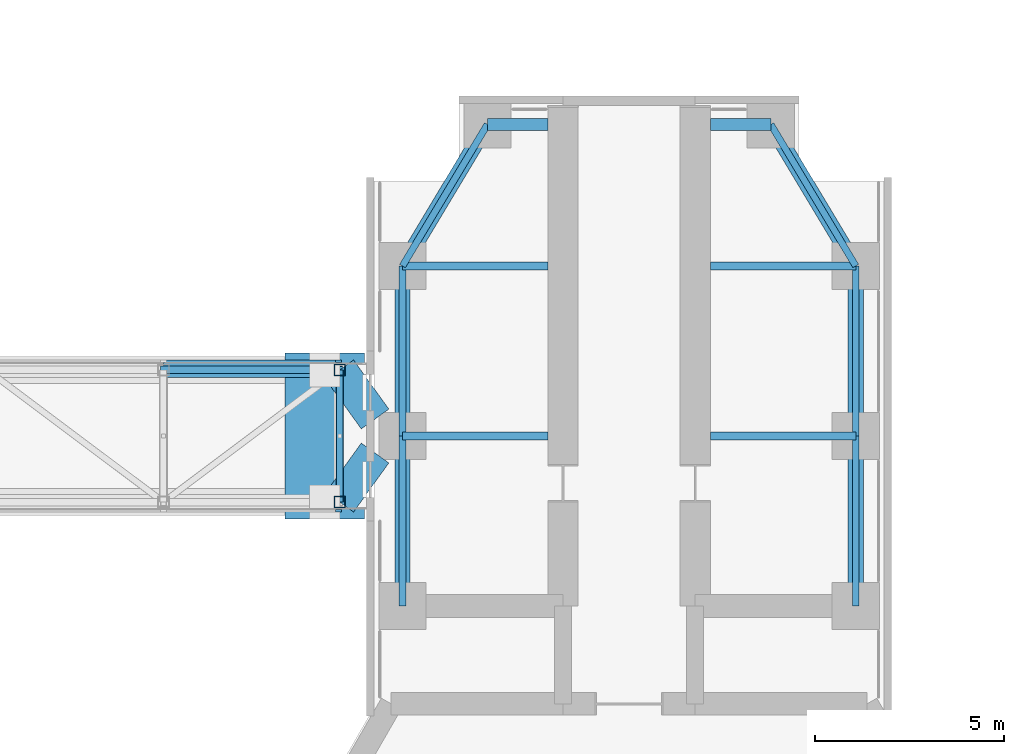
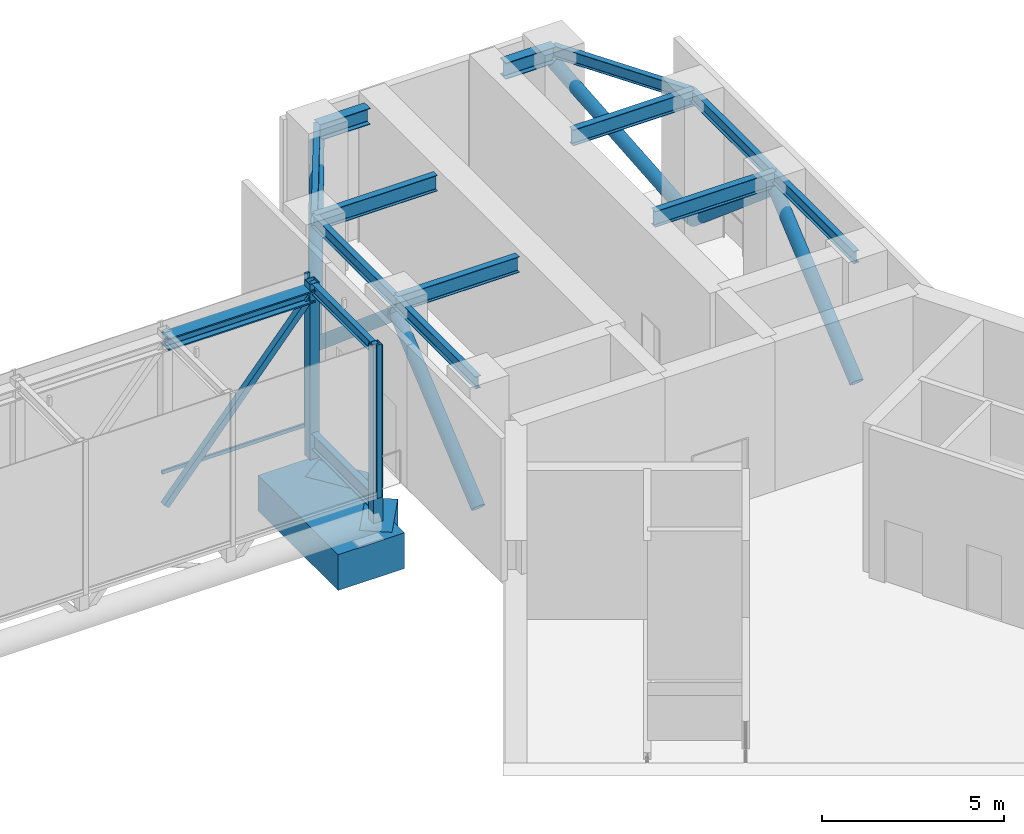
# One storey, part 5 of 15: 17 beams, 13 members, 2 elements without a shape of their own.
"""IFC4 building model written with IfcOpenShell, lengths in metres."""

from ifc_helpers import new_model, si_unit, direction, frame, origin, origin_2d, place, context, subcontext, project, spatial, rectangle, hollow_rectangle, hollow_circle, i_section, extrude, material, material_profile, profile_set, type_object, element, aggregate, save


model = new_model("IFC4")

# Units and contexts
model_context = context("Model", 3, precision=1e-05, world=origin(), true_north=direction((0.0, 1.0)))
body_context = subcontext(model_context, "Body", "Model", "MODEL_VIEW")
ifc_project = project(units=[si_unit("LENGTHUNIT", "METRE"), si_unit("AREAUNIT", "SQUARE_METRE"), si_unit("VOLUMEUNIT", "CUBIC_METRE"), si_unit("PLANEANGLEUNIT", "RADIAN"), si_unit("MASSUNIT", "GRAM", prefix="KILO")], contexts=[model_context])

# Site, building, storey
site_placement = place(None, origin())
site = spatial("IfcSite", under=ifc_project, at=site_placement, CompositionType="ELEMENT")
building_placement = place(site_placement, origin())
building = spatial("IfcBuilding", under=site, at=building_placement, Name="Upepo Twin Towers", CompositionType="ELEMENT")
storey_placement = place(building_placement, frame((0.0, 0.0, 165.5)))
storey = spatial("IfcBuildingStorey", under=building, at=storey_placement, Name="L40", CompositionType="ELEMENT", Elevation=165.5)

# Beams
ifc_material_1 = material(Name="Steel S355", Category="steel")
ifc_material_profile_1 = material_profile(ifc_material_1, i_section(OverallWidth=0.17138671875, OverallDepth=0.35498046875, WebThickness=0.00732421875, FlangeThickness=0.011474609375, FilletRadius=0.01025390625, at=origin_2d()), Name="UB 356x171x51")
ifc_profile_set_1 = profile_set([ifc_material_profile_1], Name="Steel S355")
beam_type_1 = type_object("IfcBeamType", Name="Beam UB 356x171x51", PredefinedType="BEAM", material=ifc_profile_set_1)
beam_1_placement = place(storey_placement, frame((50.840087890625, -1.75, 4.62255859375), z_axis=(0.0, 1.0, 0.0), x_axis=(-1.0, 0.0, 0.0)))
element("IfcBeam", 1, at=beam_1_placement, inside=storey, type_object=beam_type_1, Name="BR2 roof beam 5", PredefinedType="BEAM", context=body_context, shape_type="SweptSolid", body=[
    extrude(i_section(OverallWidth=0.17138671875, OverallDepth=0.35498046875, WebThickness=0.00732421875, FlangeThickness=0.011474609375, FilletRadius=0.01025390625, at=origin_2d()), origin(), (0.0, 0.0, 1.0), 3.5),
])
ifc_material_2 = material(Name="Steel S355", Category="steel")
ifc_material_profile_2 = material_profile(ifc_material_2, i_section(OverallWidth=0.177978515625, OverallDepth=0.406494140625, WebThickness=0.0078125, FlangeThickness=0.0126953125, FilletRadius=0.01025390625, at=origin_2d()), Name="UB 406x178x60")
ifc_profile_set_2 = profile_set([ifc_material_profile_2], Name="Steel S355")
beam_type_2 = type_object("IfcBeamType", Name="Beam UB 406x178x60", PredefinedType="BEAM", material=ifc_profile_set_2)
for number, where, z_axis, x_axis, name in (
    (2, (52.5, -4.5, 4.5966796875), (0.0, 1.0, 0.0), (-1.0, 0.0, 0.0), "T2 edge beam AL 13.5-18.0"),
    (3, (52.5, 0.0, 4.5966796875), (0.0, 1.0, 0.0), (-1.0, 0.0, 0.0), "T2 edge beam AL 18.0-22.5"),
):
    element("IfcBeam", number, at=place(storey_placement, frame(where, z_axis=z_axis, x_axis=x_axis)), inside=storey, type_object=beam_type_2, Name=name, PredefinedType="BEAM", context=body_context, shape_type="SweptSolid", body=[
        extrude(i_section(OverallWidth=0.177978515625, OverallDepth=0.406494140625, WebThickness=0.0078125, FlangeThickness=0.0126953125, FilletRadius=0.01025390625, at=origin_2d()), origin(), (0.0, 0.0, 1.0), 4.5),
    ])
beam_2_placement = place(storey_placement, frame((52.5, 4.5, 4.5966796875), z_axis=(0.514495755428, 0.857492925713, 0.0), x_axis=(-0.857492925713, 0.514495755428, 0.0)))
element("IfcBeam", 4, at=beam_2_placement, inside=storey, type_object=beam_type_2, Name="T2 nose edge beam AL", PredefinedType="BEAM", context=body_context, shape_type="SweptSolid", body=[
    extrude(i_section(OverallWidth=0.177978515625, OverallDepth=0.406494140625, WebThickness=0.0078125, FlangeThickness=0.0126953125, FilletRadius=0.01025390625, at=origin_2d()), origin(), (0.0, 0.0, 1.0), 4.373291015625),
])
for number, where, z_axis, x_axis, name in (
    (5, (64.5, -4.5, 4.5966796875), (0.0, 1.0, 0.0), (-1.0, 0.0, 0.0), "T2 edge beam AR 13.5-18.0"),
    (6, (64.5, 0.0, 4.5966796875), (0.0, 1.0, 0.0), (-1.0, 0.0, 0.0), "T2 edge beam AR 18.0-22.5"),
):
    element("IfcBeam", number, at=place(storey_placement, frame(where, z_axis=z_axis, x_axis=x_axis)), inside=storey, type_object=beam_type_2, Name=name, PredefinedType="BEAM", context=body_context, shape_type="SweptSolid", body=[
        extrude(i_section(OverallWidth=0.177978515625, OverallDepth=0.406494140625, WebThickness=0.0078125, FlangeThickness=0.0126953125, FilletRadius=0.01025390625, at=origin_2d()), origin(), (0.0, 0.0, 1.0), 4.5),
    ])
beam_3_placement = place(storey_placement, frame((64.5, 4.5, 4.5966796875), z_axis=(-0.514495755428, 0.857492925713, 0.0), x_axis=(-0.857492925713, -0.514495755428, 0.0)))
element("IfcBeam", 7, at=beam_3_placement, inside=storey, type_object=beam_type_2, Name="T2 nose edge beam AR", PredefinedType="BEAM", context=body_context, shape_type="SweptSolid", body=[
    extrude(i_section(OverallWidth=0.177978515625, OverallDepth=0.406494140625, WebThickness=0.0078125, FlangeThickness=0.0126953125, FilletRadius=0.01025390625, at=origin_2d()), origin(), (0.0, 0.0, 1.0), 4.373291015625),
])
ifc_material_3 = material(Name="Steel S355", Category="steel")
ifc_material_profile_3 = material_profile(ifc_material_3, i_section(OverallWidth=0.209228515625, OverallDepth=0.533203125, WebThickness=0.010009765625, FlangeThickness=0.015625, FilletRadius=0.0126953125, at=origin_2d()), Name="UB 533x210x92")
ifc_profile_set_3 = profile_set([ifc_material_profile_3], Name="Steel S355")
beam_type_3 = type_object("IfcBeamType", Name="Beam UB 533x210x92", PredefinedType="BEAM", material=ifc_profile_set_3)
for number, where, z_axis, x_axis, name in (
    (8, (52.5, 0.0, 4.533447265625), (1.0, 0.0, 0.0), (0.0, 1.0, 0.0), "T2 girder AL at 18.0"),
    (9, (52.5, 4.5, 4.533447265625), (1.0, 0.0, 0.0), (0.0, 1.0, 0.0), "T2 girder AL at 22.5"),
    (10, (64.5, 0.0, 4.533447265625), (-1.0, 0.0, 0.0), (0.0, -1.0, 0.0), "T2 girder AR at 18.0"),
    (11, (64.5, 4.5, 4.533447265625), (-1.0, 0.0, 0.0), (0.0, -1.0, 0.0), "T2 girder AR at 22.5"),
):
    element("IfcBeam", number, at=place(storey_placement, frame(where, z_axis=z_axis, x_axis=x_axis)), inside=storey, type_object=beam_type_3, Name=name, PredefinedType="BEAM", context=body_context, shape_type="SweptSolid", body=[
        extrude(i_section(OverallWidth=0.209228515625, OverallDepth=0.533203125, WebThickness=0.010009765625, FlangeThickness=0.015625, FilletRadius=0.0126953125, at=origin_2d()), origin(), (0.0, 0.0, 1.0), 3.85009765625),
    ])
beam_4_placement = place(storey_placement, frame((50.840087890625, -1.75, -0.466552734375), z_axis=(0.0, 1.0, 0.0), x_axis=(-1.0, 0.0, 0.0)))
element("IfcBeam", 12, at=beam_4_placement, inside=storey, type_object=beam_type_3, Name="BR2 floor beam 5", PredefinedType="BEAM", context=body_context, shape_type="SweptSolid", body=[
    extrude(i_section(OverallWidth=0.209228515625, OverallDepth=0.533203125, WebThickness=0.010009765625, FlangeThickness=0.015625, FilletRadius=0.0126953125, at=origin_2d()), origin(), (0.0, 0.0, 1.0), 3.5),
])
ifc_material_4 = material(Name="Steel S355", Category="steel")
ifc_material_profile_4 = material_profile(ifc_material_4, i_section(OverallWidth=0.31201171875, OverallDepth=0.54345703125, WebThickness=0.0126953125, FlangeThickness=0.020263671875, FilletRadius=0.0126953125, at=origin_2d()), Name="UB 533x312x150")
ifc_profile_set_4 = profile_set([ifc_material_profile_4], Name="Steel S355")
beam_type_4 = type_object("IfcBeamType", Name="Beam UB 533x312x150", PredefinedType="BEAM", material=ifc_profile_set_4)
for number, where, z_axis, x_axis, name in (
    (13, (54.75, 8.25, 4.5283203125), (1.0, 0.0, 0.0), (0.0, 1.0, 0.0), "T2 nose beam AL"),
    (14, (62.25, 8.25, 4.5283203125), (-1.0, 0.0, 0.0), (0.0, -1.0, 0.0), "T2 nose beam AR"),
):
    element("IfcBeam", number, at=place(storey_placement, frame(where, z_axis=z_axis, x_axis=x_axis)), inside=storey, type_object=beam_type_4, Name=name, PredefinedType="BEAM", context=body_context, shape_type="SweptSolid", body=[
        extrude(i_section(OverallWidth=0.31201171875, OverallDepth=0.54345703125, WebThickness=0.0126953125, FlangeThickness=0.020263671875, FilletRadius=0.0126953125, at=origin_2d()), origin(), (0.0, 0.0, 1.0), 1.60009765625),
    ])

# Members
ifc_material_5 = material(Name="Steel S355", Category="steel")
ifc_material_profile_5 = material_profile(ifc_material_5, hollow_circle(Radius=0.203125, WallThickness=0.02001953125, at=origin_2d()), Name="CHS 406.4x20.0")
ifc_profile_set_5 = profile_set([ifc_material_profile_5], Name="Steel S355")
member_type_1 = type_object("IfcMemberType", Name="Belt truss diagonal CHS 406.4x20.0", PredefinedType="BRACE", material=ifc_profile_set_5)
for number, where, z_axis, x_axis, name in (
    (15, (52.5, -4.5, 0.39990234375), (0.0, 0.764025829276, 0.645185657155), (-1.0, 0.0, 0.0), "T2 belt truss diagonal AL1"),
    (16, (52.5, 4.5, 0.39990234375), (0.0, -0.764025829276, 0.645185657155), (1.0, 0.0, 0.0), "T2 belt truss diagonal AL2"),
):
    element("IfcMember", number, at=place(storey_placement, frame(where, z_axis=z_axis, x_axis=x_axis)), inside=storey, type_object=member_type_1, Name=name, PredefinedType="BRACE", context=body_context, shape_type="SweptSolid", body=[
        extrude(hollow_circle(Radius=0.203125, WallThickness=0.02001953125, at=origin_2d()), origin(), (0.0, 0.0, 1.0), 5.889892578125),
    ])
member_1_placement = place(storey_placement, frame((52.5, 4.5, 0.39990234375), z_axis=(0.388362055987, 0.647270093312, 0.655908789218), x_axis=(-0.857492925713, 0.514495755428, 0.0)))
element("IfcMember", 17, at=member_1_placement, inside=storey, type_object=member_type_1, Name="T2 belt truss nose diagonal AL", PredefinedType="BRACE", context=body_context, shape_type="SweptSolid", body=[
    extrude(hollow_circle(Radius=0.203125, WallThickness=0.02001953125, at=origin_2d()), origin(), (0.0, 0.0, 1.0), 5.79345703125),
])
for number, where, z_axis, x_axis, name in (
    (18, (64.5, -4.5, 0.39990234375), (0.0, 0.764025829276, 0.645185657155), (-1.0, 0.0, 0.0), "T2 belt truss diagonal AR1"),
    (19, (64.5, 4.5, 0.39990234375), (0.0, -0.764025829276, 0.645185657155), (1.0, 0.0, 0.0), "T2 belt truss diagonal AR2"),
):
    element("IfcMember", number, at=place(storey_placement, frame(where, z_axis=z_axis, x_axis=x_axis)), inside=storey, type_object=member_type_1, Name=name, PredefinedType="BRACE", context=body_context, shape_type="SweptSolid", body=[
        extrude(hollow_circle(Radius=0.203125, WallThickness=0.02001953125, at=origin_2d()), origin(), (0.0, 0.0, 1.0), 5.889892578125),
    ])
member_2_placement = place(storey_placement, frame((64.5, 4.5, 0.39990234375), z_axis=(-0.388362055987, 0.647270093312, 0.655908789218), x_axis=(-0.857492925713, -0.514495755428, 0.0)))
element("IfcMember", 20, at=member_2_placement, inside=storey, type_object=member_type_1, Name="T2 belt truss nose diagonal AR", PredefinedType="BRACE", context=body_context, shape_type="SweptSolid", body=[
    extrude(hollow_circle(Radius=0.203125, WallThickness=0.02001953125, at=origin_2d()), origin(), (0.0, 0.0, 1.0), 5.79345703125),
])

# Beams
ifc_material_6 = material(Name="Concrete C60/75", Category="concrete")
ifc_material_profile_6 = material_profile(ifc_material_6, rectangle(XDim=0.89990234375, YDim=1.199951171875, at=origin_2d()), Name="RC 900x1200")
ifc_profile_set_6 = profile_set([ifc_material_profile_6], Name="Concrete C60/75")
beam_type_5 = type_object("IfcBeamType", Name="Bridge bearing beam RC 900x1200", PredefinedType="BEAM", material=ifc_profile_set_6)
for number, where, z_axis, x_axis, name in (
    (21, (51.77490234375, -0.449951171875, -2.089111328125), (-0.583802543846, -0.811895676672, 0.0), (0.811895676672, -0.583802543846, 0.0), "BR2 bearing bracket at T2 1"),
    (22, (51.77490234375, 0.449951171875, -2.089111328125), (-0.583802543846, 0.811895676672, 0.0), (-0.811895676672, -0.583802543846, 0.0), "BR2 bearing bracket at T2 2"),
):
    element("IfcBeam", number, at=place(storey_placement, frame(where, z_axis=z_axis, x_axis=x_axis)), inside=storey, type_object=beam_type_5, Name=name, PredefinedType="BEAM", context=body_context, shape_type="SweptSolid", body=[
        extrude(rectangle(XDim=0.89990234375, YDim=1.199951171875, at=origin_2d()), origin(), (0.0, 0.0, 1.0), 1.601318359375),
    ])
ifc_material_7 = material(Name="Concrete C60/75", Category="concrete")
ifc_material_profile_7 = material_profile(ifc_material_7, rectangle(XDim=2.10009765625, YDim=1.199951171875, at=origin_2d()), Name="RC 2100x1200")
ifc_profile_set_7 = profile_set([ifc_material_profile_7], Name="Concrete C60/75")
beam_type_6 = type_object("IfcBeamType", Name="Bridge bearing seat beam RC 2100x1200", PredefinedType="BEAM", material=ifc_profile_set_7)
beam_5_placement = place(storey_placement, frame((50.43994140625, -2.199951171875, -2.089111328125), z_axis=(0.0, 1.0, 0.0), x_axis=(-1.0, 0.0, 0.0)))
element("IfcBeam", 23, at=beam_5_placement, inside=storey, type_object=beam_type_6, Name="BR2 bearing beam at T2", PredefinedType="BEAM", context=body_context, shape_type="SweptSolid", body=[
    extrude(rectangle(XDim=2.10009765625, YDim=1.199951171875, at=origin_2d()), origin(), (0.0, 0.0, 1.0), 4.39990234375),
])

# Members
ifc_material_8 = material(Name="Steel S355", Category="steel")
ifc_material_profile_8 = material_profile(ifc_material_8, i_section(OverallWidth=0.403076171875, OverallDepth=0.406494140625, WebThickness=0.026611328125, FlangeThickness=0.04296875, FilletRadius=0.01513671875, at=origin_2d()), Name="UC 356x406x340")
ifc_profile_set_8 = profile_set([ifc_material_profile_8], Name="Steel S355")
member_type_2 = type_object("IfcMemberType", Name="Bridge chord UC 356x406x340", PredefinedType="CHORD", material=ifc_profile_set_8)
member_3_placement = place(storey_placement, frame((46.172119140625, 1.75, 4.39990234375), z_axis=(1.0, 0.0, 0.0), x_axis=(0.0, 1.0, 0.0)))
element("IfcMember", 24, at=member_3_placement, inside=storey, type_object=member_type_2, Name="BR2 top chord N5", PredefinedType="CHORD", context=body_context, shape_type="SweptSolid", body=[
    extrude(i_section(OverallWidth=0.403076171875, OverallDepth=0.406494140625, WebThickness=0.026611328125, FlangeThickness=0.04296875, FilletRadius=0.01513671875, at=origin_2d()), origin(), (0.0, 0.0, 1.0), 4.66796875),
])
ifc_material_9 = material(Name="Steel S355", Category="steel")
ifc_material_profile_9 = material_profile(ifc_material_9, hollow_rectangle(XDim=0.199951171875, YDim=0.199951171875, WallThickness=0.010009765625, at=origin_2d()), Name="SHS 200x200x10.0")
ifc_profile_set_9 = profile_set([ifc_material_profile_9], Name="Steel S355")
member_type_3 = type_object("IfcMemberType", Name="Bridge diagonal SHS 200x200x10.0", PredefinedType="BRACE", material=ifc_profile_set_9)
member_4_placement = place(storey_placement, frame((46.172119140625, 1.75, -1.088623046875), z_axis=(0.647867731372, 0.0, 0.761752848795), x_axis=(0.0, 1.0, 0.0)))
element("IfcMember", 25, at=member_4_placement, inside=storey, type_object=member_type_3, Name="BR2 diagonal N5", PredefinedType="BRACE", context=body_context, shape_type="SweptSolid", body=[
    extrude(hollow_rectangle(XDim=0.199951171875, YDim=0.199951171875, WallThickness=0.010009765625, at=origin_2d()), origin(), (0.0, 0.0, 1.0), 7.205078125),
])
ifc_material_10 = material(Name="Steel S355", Category="steel")
ifc_material_profile_10 = material_profile(ifc_material_10, hollow_rectangle(XDim=0.300048828125, YDim=0.300048828125, WallThickness=0.012451171875, at=origin_2d()), Name="SHS 300x300x12.5")
ifc_profile_set_10 = profile_set([ifc_material_profile_10], Name="Steel S355")
member_type_4 = type_object("IfcMemberType", Name="Bridge post SHS 300x300x12.5", PredefinedType="POST", material=ifc_profile_set_10)
for number, where, z_axis, x_axis, name in (
    (26, (50.840087890625, 1.75, -1.088623046875), (0.0, 0.0, 1.0), (1.0, 0.0, 0.0), "BR2 end post N5"),
    (27, (50.840087890625, -1.75, -1.088623046875), (0.0, 0.0, 1.0), (1.0, 0.0, 0.0), "BR2 end post S5"),
):
    element("IfcMember", number, at=place(storey_placement, frame(where, z_axis=z_axis, x_axis=x_axis)), inside=storey, type_object=member_type_4, Name=name, PredefinedType="POST", context=body_context, shape_type="SweptSolid", body=[
        extrude(hollow_rectangle(XDim=0.300048828125, YDim=0.300048828125, WallThickness=0.012451171875, at=origin_2d()), origin(), (0.0, 0.0, 1.0), 5.888671875),
    ])

# Curtain wall, member
ifc_material_11 = material(Name="Aluminium and clear glass", Category="aluminium")
curtain_wall_type = type_object("IfcCurtainWallType", Name="Bridge curtain wall BW1", PredefinedType="NOTDEFINED", material=ifc_material_11)
curtain_wall_1_placement = place(storey_placement, origin())
curtain_wall_1 = element("IfcCurtainWall", 28, at=curtain_wall_1_placement, inside=storey, type_object=curtain_wall_type, Name="BR2 curtain wall N", PredefinedType="NOTDEFINED")
ifc_material_12 = material(Name="Aluminium mullion", Category="aluminium")
ifc_material_profile_11 = material_profile(ifc_material_12, rectangle(XDim=0.06494140625, YDim=0.14990234375, at=origin_2d()), Name="MULLION 65x150 BRIDGE")
ifc_profile_set_11 = profile_set([ifc_material_profile_11], Name="Aluminium mullion")
member_type_5 = type_object("IfcMemberType", Name="Mullion 65x150 BW1", PredefinedType="MULLION", material=ifc_profile_set_11)
member_5_placement = place(storey_placement, frame((50.8076171875, 1.97509765625, -0.199951171875), z_axis=(0.0, 0.0, 1.0), x_axis=(0.0, -1.0, 0.0)))
member_5 = element("IfcMember", 29, at=member_5_placement, type_object=member_type_5, Name="BR2 curtain wall N mullion 1", PredefinedType="MULLION", context=body_context, shape_type="SweptSolid", body=[
    extrude(rectangle(XDim=0.06494140625, YDim=0.14990234375, at=origin_2d()), origin(), (0.0, 0.0, 1.0), 5.14990234375),
])

curtain_wall_2_placement = place(storey_placement, origin())
curtain_wall_2 = element("IfcCurtainWall", 30, at=curtain_wall_2_placement, inside=storey, type_object=curtain_wall_type, Name="BR2 curtain wall S", PredefinedType="NOTDEFINED")
member_6_placement = place(storey_placement, frame((50.8076171875, -1.97509765625, -0.199951171875), z_axis=(0.0, 0.0, 1.0), x_axis=(0.0, 1.0, 0.0)))
member_6 = element("IfcMember", 31, at=member_6_placement, type_object=member_type_5, Name="BR2 curtain wall S mullion 6", PredefinedType="MULLION", context=body_context, shape_type="SweptSolid", body=[
    extrude(rectangle(XDim=0.06494140625, YDim=0.14990234375, at=origin_2d()), origin(), (0.0, 0.0, 1.0), 5.14990234375),
])
aggregate(curtain_wall_2, [member_6])

# Member
ifc_material_13 = material(Name="Aluminium transom", Category="aluminium")
ifc_material_profile_12 = material_profile(ifc_material_13, rectangle(XDim=0.06494140625, YDim=0.1201171875, at=origin_2d()), Name="TRANSOM 65x120 BRIDGE")
ifc_profile_set_12 = profile_set([ifc_material_profile_12], Name="Aluminium transom")
member_type_6 = type_object("IfcMemberType", Name="Transom 65x120 BW1", PredefinedType="USERDEFINED", material=ifc_profile_set_12)
member_7_placement = place(storey_placement, frame((50.77490234375, 1.97509765625, -0.139892578125), z_axis=(-1.0, 0.0, 0.0), x_axis=(0.0, -1.0, 0.0)))
member_7 = element("IfcMember", 32, at=member_7_placement, type_object=member_type_6, Name="BR2 curtain wall N transom 1", ObjectType="TRANSOM", PredefinedType="USERDEFINED", context=body_context, shape_type="SweptSolid", body=[
    extrude(rectangle(XDim=0.06494140625, YDim=0.1201171875, at=origin_2d()), origin(), (0.0, 0.0, 1.0), 4.5703125),
])

aggregate(curtain_wall_1, [member_5, member_7])

save(model, "model.ifc")
